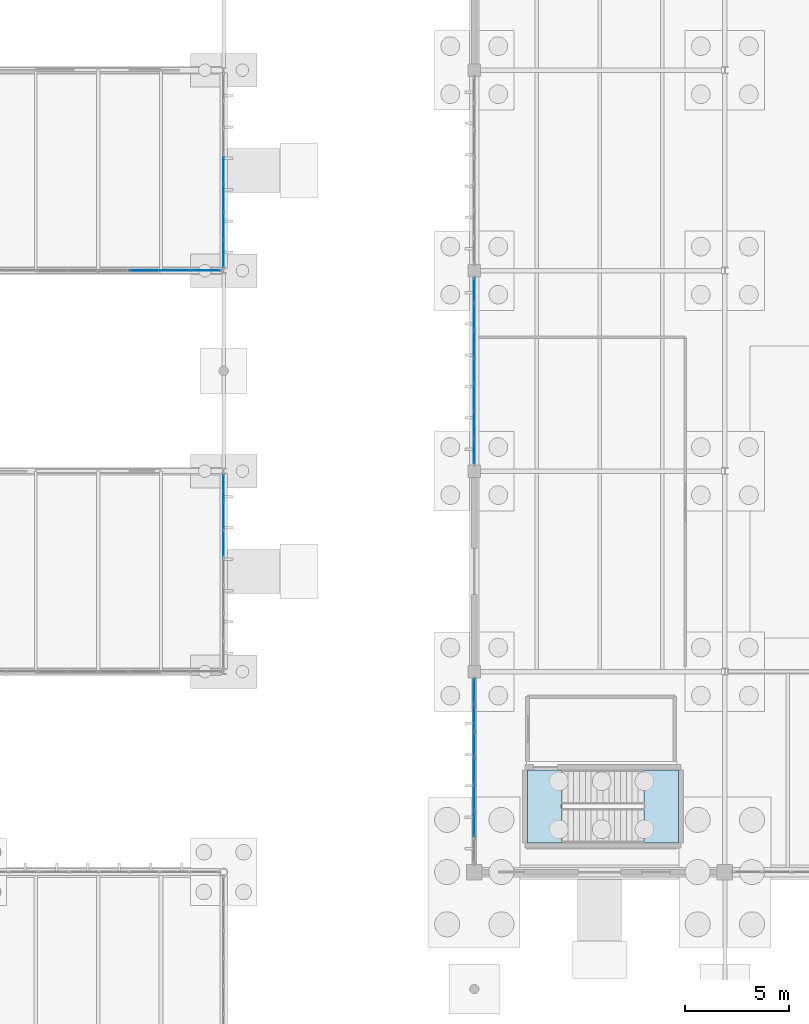
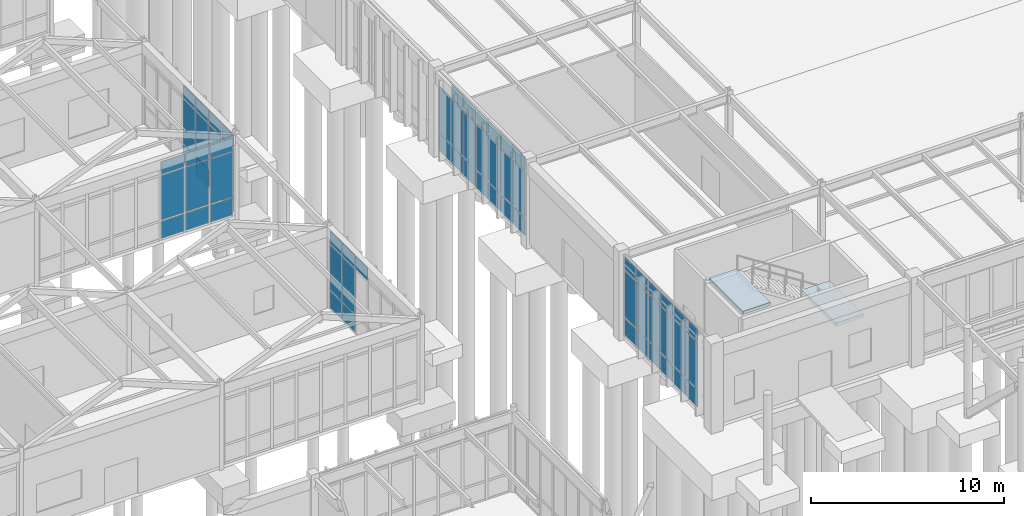
# One storey, part 132 of 188: 66 plates, 2 slabs, 6 elements without a shape of their own.
"""IFC4 building model written with IfcOpenShell, lengths in metres."""

from ifc_helpers import new_model, si_unit, direction, frame, origin, origin_2d, place, context, subcontext, project, spatial, polyline, rectangle, outline, extrude, material, layer, layer_set, type_object, element, aggregate, save


model = new_model("IFC4")

# Units and contexts
model_context = context("Model", 3, precision=1e-05, world=origin(), true_north=direction((0.0, 1.0)))
body_context = subcontext(model_context, "Body", "Model", "MODEL_VIEW")
ifc_project = project(units=[si_unit("LENGTHUNIT", "METRE"), si_unit("AREAUNIT", "SQUARE_METRE"), si_unit("VOLUMEUNIT", "CUBIC_METRE"), si_unit("PLANEANGLEUNIT", "RADIAN"), si_unit("MASSUNIT", "GRAM", prefix="KILO")], contexts=[model_context])

# Site, building, storey
site_placement = place(None, origin())
site = spatial("IfcSite", under=ifc_project, at=site_placement, CompositionType="ELEMENT")
building_placement = place(site_placement, origin())
building = spatial("IfcBuilding", under=site, at=building_placement, Name="Pandanus Reach Market Hall", CompositionType="ELEMENT")
storey_placement = place(building_placement, origin())
storey = spatial("IfcBuildingStorey", under=building, at=storey_placement, Name="L00", CompositionType="ELEMENT", Elevation=0.0)

# Curtain wall, plates
ifc_material_1 = material(Name="Bronze anodised aluminium and low-E glass", Category="aluminium")
ifc_layer_1 = layer(ifc_material_1, 0.159912109375, Name="CW-08")
ifc_layer_set_1 = layer_set([ifc_layer_1], Name="Bronze anodised aluminium and low-E glass")
curtain_wall_type_1 = type_object("IfcCurtainWallType", Name="CW-08", PredefinedType="NOTDEFINED", material=ifc_layer_set_1)
curtain_wall_1_placement = place(storey_placement, origin())
curtain_wall_1 = element("IfcCurtainWall", 1, at=curtain_wall_1_placement, inside=storey, type_object=curtain_wall_type_1, Name="Glazed curtain wall CW-08 CW-0040", PredefinedType="NOTDEFINED")
ifc_material_2 = material(Name="Solar-control double glazing", Category="glass")
ifc_layer_2 = layer(ifc_material_2, 0.028076171875, Name="CW-P1")
ifc_layer_set_2 = layer_set([ifc_layer_2], Name="Solar-control double glazing")
plate_type_1 = type_object("IfcPlateType", Name="CW-P1", PredefinedType="CURTAIN_PANEL", material=ifc_layer_set_2)
plate_1_placement = place(storey_placement, frame((36.0, 44.53515625, 4.13232421875), z_axis=(0.0, 0.0, 1.0), x_axis=(0.0, 1.0, 0.0)))
plate_1 = element("IfcPlate", 2, at=plate_1_placement, type_object=plate_type_1, Name="CW-08 panel 5.3", PredefinedType="CURTAIN_PANEL", context=body_context, shape_type="SweptSolid", body=[
    extrude(rectangle(XDim=1.270263671875, YDim=0.028076171875, at=origin_2d()), origin(), (0.0, 0.0, 1.0), 0.802490234375),
])
plate_2_placement = place(storey_placement, frame((36.0, 45.870361328125, 0.06494140625), z_axis=(0.0, 0.0, 1.0), x_axis=(0.0, 1.0, 0.0)))
plate_2 = element("IfcPlate", 3, at=plate_2_placement, type_object=plate_type_1, Name="CW-08 panel 6.1", PredefinedType="CURTAIN_PANEL", context=body_context, shape_type="SweptSolid", body=[
    extrude(rectangle(XDim=1.270263671875, YDim=0.028076171875, at=origin_2d()), origin(), (0.0, 0.0, 1.0), 1.1025390625),
])
plate_3_placement = place(storey_placement, frame((36.0, 45.870361328125, 1.232421875), z_axis=(0.0, 0.0, 1.0), x_axis=(0.0, 1.0, 0.0)))
plate_3 = element("IfcPlate", 4, at=plate_3_placement, type_object=plate_type_1, Name="CW-08 panel 6.2", PredefinedType="CURTAIN_PANEL", context=body_context, shape_type="SweptSolid", body=[
    extrude(rectangle(XDim=1.270263671875, YDim=0.028076171875, at=origin_2d()), origin(), (0.0, 0.0, 1.0), 2.8349609375),
])
plate_4_placement = place(storey_placement, frame((36.0, 45.870361328125, 4.13232421875), z_axis=(0.0, 0.0, 1.0), x_axis=(0.0, 1.0, 0.0)))
plate_4 = element("IfcPlate", 5, at=plate_4_placement, type_object=plate_type_1, Name="CW-08 panel 6.3", PredefinedType="CURTAIN_PANEL", context=body_context, shape_type="SweptSolid", body=[
    extrude(rectangle(XDim=1.270263671875, YDim=0.028076171875, at=origin_2d()), origin(), (0.0, 0.0, 1.0), 0.802490234375),
])
plate_5_placement = place(storey_placement, frame((36.0, 47.189208984375, 0.06494140625), z_axis=(0.0, 0.0, 1.0), x_axis=(0.0, 1.0, 0.0)))
plate_5 = element("IfcPlate", 6, at=plate_5_placement, type_object=plate_type_1, Name="CW-08 panel 7.1", PredefinedType="CURTAIN_PANEL", context=body_context, shape_type="SweptSolid", body=[
    extrude(rectangle(XDim=1.237548828125, YDim=0.028076171875, at=origin_2d()), origin(), (0.0, 0.0, 1.0), 1.1025390625),
])
plate_6_placement = place(storey_placement, frame((36.0, 47.189208984375, 1.232421875), z_axis=(0.0, 0.0, 1.0), x_axis=(0.0, 1.0, 0.0)))
plate_6 = element("IfcPlate", 7, at=plate_6_placement, type_object=plate_type_1, Name="CW-08 panel 7.2", PredefinedType="CURTAIN_PANEL", context=body_context, shape_type="SweptSolid", body=[
    extrude(rectangle(XDim=1.237548828125, YDim=0.028076171875, at=origin_2d()), origin(), (0.0, 0.0, 1.0), 2.8349609375),
])
plate_7_placement = place(storey_placement, frame((36.0, 47.189208984375, 4.13232421875), z_axis=(0.0, 0.0, 1.0), x_axis=(0.0, 1.0, 0.0)))
plate_7 = element("IfcPlate", 8, at=plate_7_placement, type_object=plate_type_1, Name="CW-08 panel 7.3", PredefinedType="CURTAIN_PANEL", context=body_context, shape_type="SweptSolid", body=[
    extrude(rectangle(XDim=1.237548828125, YDim=0.028076171875, at=origin_2d()), origin(), (0.0, 0.0, 1.0), 0.802490234375),
])
aggregate(curtain_wall_1, [plate_1, plate_2, plate_3, plate_4, plate_5, plate_6, plate_7])

ifc_layer_3 = layer(ifc_material_1, 0.159912109375, Name="CW-07")
ifc_layer_set_3 = layer_set([ifc_layer_3], Name="Bronze anodised aluminium and low-E glass")
curtain_wall_type_2 = type_object("IfcCurtainWallType", Name="CW-07", PredefinedType="NOTDEFINED", material=ifc_layer_set_3)
curtain_wall_2_placement = place(storey_placement, origin())
curtain_wall_2 = element("IfcCurtainWall", 9, at=curtain_wall_2_placement, inside=storey, type_object=curtain_wall_type_2, Name="Glazed curtain wall CW-07 CW-0042", PredefinedType="NOTDEFINED")
plate_8_placement = place(storey_placement, frame((32.202392578125, 57.60009765625, 0.06494140625), z_axis=(0.0, 0.0, 1.0), x_axis=(1.0, 0.0, 0.0)))
plate_8 = element("IfcPlate", 10, at=plate_8_placement, type_object=plate_type_1, Name="CW-07 panel 6.1", PredefinedType="CURTAIN_PANEL", context=body_context, shape_type="SweptSolid", body=[
    extrude(rectangle(XDim=1.4033203125, YDim=0.028076171875, at=origin_2d()), origin(), (0.0, 0.0, 1.0), 1.1025390625),
])
plate_9_placement = place(storey_placement, frame((32.202392578125, 57.60009765625, 1.232421875), z_axis=(0.0, 0.0, 1.0), x_axis=(1.0, 0.0, 0.0)))
plate_9 = element("IfcPlate", 11, at=plate_9_placement, type_object=plate_type_1, Name="CW-07 panel 6.2", PredefinedType="CURTAIN_PANEL", context=body_context, shape_type="SweptSolid", body=[
    extrude(rectangle(XDim=1.4033203125, YDim=0.028076171875, at=origin_2d()), origin(), (0.0, 0.0, 1.0), 2.8349609375),
])
plate_10_placement = place(storey_placement, frame((32.202392578125, 57.60009765625, 4.13232421875), z_axis=(0.0, 0.0, 1.0), x_axis=(1.0, 0.0, 0.0)))
plate_10 = element("IfcPlate", 12, at=plate_10_placement, type_object=plate_type_1, Name="CW-07 panel 6.3", PredefinedType="CURTAIN_PANEL", context=body_context, shape_type="SweptSolid", body=[
    extrude(rectangle(XDim=1.4033203125, YDim=0.028076171875, at=origin_2d()), origin(), (0.0, 0.0, 1.0), 0.802490234375),
])
plate_11_placement = place(storey_placement, frame((33.670654296875, 57.60009765625, 0.06494140625), z_axis=(0.0, 0.0, 1.0), x_axis=(1.0, 0.0, 0.0)))
plate_11 = element("IfcPlate", 13, at=plate_11_placement, type_object=plate_type_1, Name="CW-07 panel 7.1", PredefinedType="CURTAIN_PANEL", context=body_context, shape_type="SweptSolid", body=[
    extrude(rectangle(XDim=1.4033203125, YDim=0.028076171875, at=origin_2d()), origin(), (0.0, 0.0, 1.0), 1.1025390625),
])
plate_12_placement = place(storey_placement, frame((33.670654296875, 57.60009765625, 1.232421875), z_axis=(0.0, 0.0, 1.0), x_axis=(1.0, 0.0, 0.0)))
plate_12 = element("IfcPlate", 14, at=plate_12_placement, type_object=plate_type_1, Name="CW-07 panel 7.2", PredefinedType="CURTAIN_PANEL", context=body_context, shape_type="SweptSolid", body=[
    extrude(rectangle(XDim=1.4033203125, YDim=0.028076171875, at=origin_2d()), origin(), (0.0, 0.0, 1.0), 2.8349609375),
])
plate_13_placement = place(storey_placement, frame((33.670654296875, 57.60009765625, 4.13232421875), z_axis=(0.0, 0.0, 1.0), x_axis=(1.0, 0.0, 0.0)))
plate_13 = element("IfcPlate", 15, at=plate_13_placement, type_object=plate_type_1, Name="CW-07 panel 7.3", PredefinedType="CURTAIN_PANEL", context=body_context, shape_type="SweptSolid", body=[
    extrude(rectangle(XDim=1.4033203125, YDim=0.028076171875, at=origin_2d()), origin(), (0.0, 0.0, 1.0), 0.802490234375),
])
plate_14_placement = place(storey_placement, frame((35.12255859375, 57.60009765625, 0.06494140625), z_axis=(0.0, 0.0, 1.0), x_axis=(1.0, 0.0, 0.0)))
plate_14 = element("IfcPlate", 16, at=plate_14_placement, type_object=plate_type_1, Name="CW-07 panel 8.1", PredefinedType="CURTAIN_PANEL", context=body_context, shape_type="SweptSolid", body=[
    extrude(rectangle(XDim=1.370849609375, YDim=0.028076171875, at=origin_2d()), origin(), (0.0, 0.0, 1.0), 1.1025390625),
])
plate_15_placement = place(storey_placement, frame((35.12255859375, 57.60009765625, 1.232421875), z_axis=(0.0, 0.0, 1.0), x_axis=(1.0, 0.0, 0.0)))
plate_15 = element("IfcPlate", 17, at=plate_15_placement, type_object=plate_type_1, Name="CW-07 panel 8.2", PredefinedType="CURTAIN_PANEL", context=body_context, shape_type="SweptSolid", body=[
    extrude(rectangle(XDim=1.370849609375, YDim=0.028076171875, at=origin_2d()), origin(), (0.0, 0.0, 1.0), 2.8349609375),
])
plate_16_placement = place(storey_placement, frame((35.12255859375, 57.60009765625, 4.13232421875), z_axis=(0.0, 0.0, 1.0), x_axis=(1.0, 0.0, 0.0)))
plate_16 = element("IfcPlate", 18, at=plate_16_placement, type_object=plate_type_1, Name="CW-07 panel 8.3", PredefinedType="CURTAIN_PANEL", context=body_context, shape_type="SweptSolid", body=[
    extrude(rectangle(XDim=1.370849609375, YDim=0.028076171875, at=origin_2d()), origin(), (0.0, 0.0, 1.0), 0.802490234375),
])
aggregate(curtain_wall_2, [plate_8, plate_9, plate_10, plate_11, plate_12, plate_13, plate_14, plate_15, plate_16])

curtain_wall_3_placement = place(storey_placement, origin())
curtain_wall_3 = element("IfcCurtainWall", 19, at=curtain_wall_3_placement, inside=storey, type_object=curtain_wall_type_1, Name="Glazed curtain wall CW-08 CW-0043", PredefinedType="NOTDEFINED")
plate_17_placement = place(storey_placement, frame((36.0, 58.410888671875, 0.06494140625), z_axis=(0.0, 0.0, 1.0), x_axis=(0.0, 1.0, 0.0)))
plate_17 = element("IfcPlate", 20, at=plate_17_placement, type_object=plate_type_1, Name="CW-08 panel 1.1", PredefinedType="CURTAIN_PANEL", context=body_context, shape_type="SweptSolid", body=[
    extrude(rectangle(XDim=1.237548828125, YDim=0.028076171875, at=origin_2d()), origin(), (0.0, 0.0, 1.0), 1.1025390625),
])
plate_18_placement = place(storey_placement, frame((36.0, 58.410888671875, 1.232421875), z_axis=(0.0, 0.0, 1.0), x_axis=(0.0, 1.0, 0.0)))
plate_18 = element("IfcPlate", 21, at=plate_18_placement, type_object=plate_type_1, Name="CW-08 panel 1.2", PredefinedType="CURTAIN_PANEL", context=body_context, shape_type="SweptSolid", body=[
    extrude(rectangle(XDim=1.237548828125, YDim=0.028076171875, at=origin_2d()), origin(), (0.0, 0.0, 1.0), 2.8349609375),
])
plate_19_placement = place(storey_placement, frame((36.0, 58.410888671875, 4.13232421875), z_axis=(0.0, 0.0, 1.0), x_axis=(0.0, 1.0, 0.0)))
plate_19 = element("IfcPlate", 22, at=plate_19_placement, type_object=plate_type_1, Name="CW-08 panel 1.3", PredefinedType="CURTAIN_PANEL", context=body_context, shape_type="SweptSolid", body=[
    extrude(rectangle(XDim=1.237548828125, YDim=0.028076171875, at=origin_2d()), origin(), (0.0, 0.0, 1.0), 0.802490234375),
])
plate_20_placement = place(storey_placement, frame((36.0, 59.729736328125, 0.06494140625), z_axis=(0.0, 0.0, 1.0), x_axis=(0.0, 1.0, 0.0)))
plate_20 = element("IfcPlate", 23, at=plate_20_placement, type_object=plate_type_1, Name="CW-08 panel 2.1", PredefinedType="CURTAIN_PANEL", context=body_context, shape_type="SweptSolid", body=[
    extrude(rectangle(XDim=1.270263671875, YDim=0.028076171875, at=origin_2d()), origin(), (0.0, 0.0, 1.0), 1.1025390625),
])
plate_21_placement = place(storey_placement, frame((36.0, 59.729736328125, 1.232421875), z_axis=(0.0, 0.0, 1.0), x_axis=(0.0, 1.0, 0.0)))
plate_21 = element("IfcPlate", 24, at=plate_21_placement, type_object=plate_type_1, Name="CW-08 panel 2.2", PredefinedType="CURTAIN_PANEL", context=body_context, shape_type="SweptSolid", body=[
    extrude(rectangle(XDim=1.270263671875, YDim=0.028076171875, at=origin_2d()), origin(), (0.0, 0.0, 1.0), 2.8349609375),
])
plate_22_placement = place(storey_placement, frame((36.0, 59.729736328125, 4.13232421875), z_axis=(0.0, 0.0, 1.0), x_axis=(0.0, 1.0, 0.0)))
plate_22 = element("IfcPlate", 25, at=plate_22_placement, type_object=plate_type_1, Name="CW-08 panel 2.3", PredefinedType="CURTAIN_PANEL", context=body_context, shape_type="SweptSolid", body=[
    extrude(rectangle(XDim=1.270263671875, YDim=0.028076171875, at=origin_2d()), origin(), (0.0, 0.0, 1.0), 0.802490234375),
])
plate_23_placement = place(storey_placement, frame((36.0, 61.06494140625, 0.06494140625), z_axis=(0.0, 0.0, 1.0), x_axis=(0.0, 1.0, 0.0)))
plate_23 = element("IfcPlate", 26, at=plate_23_placement, type_object=plate_type_1, Name="CW-08 panel 3.1", PredefinedType="CURTAIN_PANEL", context=body_context, shape_type="SweptSolid", body=[
    extrude(rectangle(XDim=1.270263671875, YDim=0.028076171875, at=origin_2d()), origin(), (0.0, 0.0, 1.0), 1.1025390625),
])
plate_24_placement = place(storey_placement, frame((36.0, 61.06494140625, 1.232421875), z_axis=(0.0, 0.0, 1.0), x_axis=(0.0, 1.0, 0.0)))
plate_24 = element("IfcPlate", 27, at=plate_24_placement, type_object=plate_type_1, Name="CW-08 panel 3.2", PredefinedType="CURTAIN_PANEL", context=body_context, shape_type="SweptSolid", body=[
    extrude(rectangle(XDim=1.270263671875, YDim=0.028076171875, at=origin_2d()), origin(), (0.0, 0.0, 1.0), 2.8349609375),
])
plate_25_placement = place(storey_placement, frame((36.0, 61.06494140625, 4.13232421875), z_axis=(0.0, 0.0, 1.0), x_axis=(0.0, 1.0, 0.0)))
plate_25 = element("IfcPlate", 28, at=plate_25_placement, type_object=plate_type_1, Name="CW-08 panel 3.3", PredefinedType="CURTAIN_PANEL", context=body_context, shape_type="SweptSolid", body=[
    extrude(rectangle(XDim=1.270263671875, YDim=0.028076171875, at=origin_2d()), origin(), (0.0, 0.0, 1.0), 0.802490234375),
])
plate_26_placement = place(storey_placement, frame((36.0, 62.39990234375, 0.06494140625), z_axis=(0.0, 0.0, 1.0), x_axis=(0.0, 1.0, 0.0)))
plate_26 = element("IfcPlate", 29, at=plate_26_placement, type_object=plate_type_1, Name="CW-08 panel 4.1", PredefinedType="CURTAIN_PANEL", context=body_context, shape_type="SweptSolid", body=[
    extrude(rectangle(XDim=1.270263671875, YDim=0.028076171875, at=origin_2d()), origin(), (0.0, 0.0, 1.0), 1.1025390625),
])
plate_27_placement = place(storey_placement, frame((36.0, 62.39990234375, 1.232421875), z_axis=(0.0, 0.0, 1.0), x_axis=(0.0, 1.0, 0.0)))
plate_27 = element("IfcPlate", 30, at=plate_27_placement, type_object=plate_type_1, Name="CW-08 panel 4.2", PredefinedType="CURTAIN_PANEL", context=body_context, shape_type="SweptSolid", body=[
    extrude(rectangle(XDim=1.270263671875, YDim=0.028076171875, at=origin_2d()), origin(), (0.0, 0.0, 1.0), 2.8349609375),
])
plate_28_placement = place(storey_placement, frame((36.0, 62.39990234375, 4.13232421875), z_axis=(0.0, 0.0, 1.0), x_axis=(0.0, 1.0, 0.0)))
plate_28 = element("IfcPlate", 31, at=plate_28_placement, type_object=plate_type_1, Name="CW-08 panel 4.3", PredefinedType="CURTAIN_PANEL", context=body_context, shape_type="SweptSolid", body=[
    extrude(rectangle(XDim=1.270263671875, YDim=0.028076171875, at=origin_2d()), origin(), (0.0, 0.0, 1.0), 0.802490234375),
])
aggregate(curtain_wall_3, [plate_17, plate_18, plate_19, plate_20, plate_21, plate_22, plate_23, plate_24, plate_25, plate_26, plate_27, plate_28])

ifc_layer_4 = layer(ifc_material_1, 0.199951171875, Name="CW-03")
ifc_layer_set_4 = layer_set([ifc_layer_4], Name="Bronze anodised aluminium and low-E glass")
curtain_wall_type_3 = type_object("IfcCurtainWallType", Name="CW-03", PredefinedType="NOTDEFINED", material=ifc_layer_set_4)
curtain_wall_4_placement = place(storey_placement, origin())
curtain_wall_4 = element("IfcCurtainWall", 32, at=curtain_wall_4_placement, inside=storey, type_object=curtain_wall_type_3, Name="Glazed curtain wall CW-03 CW-0018", PredefinedType="NOTDEFINED")
ifc_material_3 = material(Name="Acoustic laminated solar double glazing", Category="glass")
ifc_layer_5 = layer(ifc_material_3, 0.031982421875, Name="CW-P2")
ifc_layer_set_5 = layer_set([ifc_layer_5], Name="Acoustic laminated solar double glazing")
plate_type_2 = type_object("IfcPlateType", Name="CW-P2", PredefinedType="CURTAIN_PANEL", material=ifc_layer_set_5)
plate_29_placement = place(storey_placement, frame((48.0, 31.08740234375, 0.074951171875), z_axis=(0.0, 0.0, 1.0), x_axis=(0.0, 1.0, 0.0)))
plate_29 = element("IfcPlate", 33, at=plate_29_placement, type_object=plate_type_2, Name="CW-03 panel 2.1", PredefinedType="CURTAIN_PANEL", context=body_context, shape_type="SweptSolid", body=[
    extrude(rectangle(XDim=1.199951171875, YDim=0.031982421875, at=origin_2d()), origin(), (0.0, 0.0, 1.0), 1.08740234375),
])
plate_30_placement = place(storey_placement, frame((48.0, 31.08740234375, 1.2373046875), z_axis=(0.0, 0.0, 1.0), x_axis=(0.0, 1.0, 0.0)))
plate_30 = element("IfcPlate", 34, at=plate_30_placement, type_object=plate_type_2, Name="CW-03 panel 2.2", PredefinedType="CURTAIN_PANEL", context=body_context, shape_type="SweptSolid", body=[
    extrude(rectangle(XDim=1.199951171875, YDim=0.031982421875, at=origin_2d()), origin(), (0.0, 0.0, 1.0), 2.925048828125),
])
plate_31_placement = place(storey_placement, frame((48.0, 31.08740234375, 4.237548828125), z_axis=(0.0, 0.0, 1.0), x_axis=(0.0, 1.0, 0.0)))
plate_31 = element("IfcPlate", 35, at=plate_31_placement, type_object=plate_type_2, Name="CW-03 panel 2.3", PredefinedType="CURTAIN_PANEL", context=body_context, shape_type="SweptSolid", body=[
    extrude(rectangle(XDim=1.199951171875, YDim=0.031982421875, at=origin_2d()), origin(), (0.0, 0.0, 1.0), 0.78759765625),
])
plate_32_placement = place(storey_placement, frame((48.0, 32.362548828125, 0.074951171875), z_axis=(0.0, 0.0, 1.0), x_axis=(0.0, 1.0, 0.0)))
plate_32 = element("IfcPlate", 36, at=plate_32_placement, type_object=plate_type_2, Name="CW-03 panel 3.1", PredefinedType="CURTAIN_PANEL", context=body_context, shape_type="SweptSolid", body=[
    extrude(rectangle(XDim=1.199951171875, YDim=0.031982421875, at=origin_2d()), origin(), (0.0, 0.0, 1.0), 1.08740234375),
])
plate_33_placement = place(storey_placement, frame((48.0, 32.362548828125, 1.2373046875), z_axis=(0.0, 0.0, 1.0), x_axis=(0.0, 1.0, 0.0)))
plate_33 = element("IfcPlate", 37, at=plate_33_placement, type_object=plate_type_2, Name="CW-03 panel 3.2", PredefinedType="CURTAIN_PANEL", context=body_context, shape_type="SweptSolid", body=[
    extrude(rectangle(XDim=1.199951171875, YDim=0.031982421875, at=origin_2d()), origin(), (0.0, 0.0, 1.0), 2.925048828125),
])
plate_34_placement = place(storey_placement, frame((48.0, 32.362548828125, 4.237548828125), z_axis=(0.0, 0.0, 1.0), x_axis=(0.0, 1.0, 0.0)))
plate_34 = element("IfcPlate", 38, at=plate_34_placement, type_object=plate_type_2, Name="CW-03 panel 3.3", PredefinedType="CURTAIN_PANEL", context=body_context, shape_type="SweptSolid", body=[
    extrude(rectangle(XDim=1.199951171875, YDim=0.031982421875, at=origin_2d()), origin(), (0.0, 0.0, 1.0), 0.78759765625),
])
plate_35_placement = place(storey_placement, frame((48.0, 33.637451171875, 0.074951171875), z_axis=(0.0, 0.0, 1.0), x_axis=(0.0, 1.0, 0.0)))
plate_35 = element("IfcPlate", 39, at=plate_35_placement, type_object=plate_type_2, Name="CW-03 panel 4.1", PredefinedType="CURTAIN_PANEL", context=body_context, shape_type="SweptSolid", body=[
    extrude(rectangle(XDim=1.199951171875, YDim=0.031982421875, at=origin_2d()), origin(), (0.0, 0.0, 1.0), 1.08740234375),
])
plate_36_placement = place(storey_placement, frame((48.0, 33.637451171875, 1.2373046875), z_axis=(0.0, 0.0, 1.0), x_axis=(0.0, 1.0, 0.0)))
plate_36 = element("IfcPlate", 40, at=plate_36_placement, type_object=plate_type_2, Name="CW-03 panel 4.2", PredefinedType="CURTAIN_PANEL", context=body_context, shape_type="SweptSolid", body=[
    extrude(rectangle(XDim=1.199951171875, YDim=0.031982421875, at=origin_2d()), origin(), (0.0, 0.0, 1.0), 2.925048828125),
])
plate_37_placement = place(storey_placement, frame((48.0, 33.637451171875, 4.237548828125), z_axis=(0.0, 0.0, 1.0), x_axis=(0.0, 1.0, 0.0)))
plate_37 = element("IfcPlate", 41, at=plate_37_placement, type_object=plate_type_2, Name="CW-03 panel 4.3", PredefinedType="CURTAIN_PANEL", context=body_context, shape_type="SweptSolid", body=[
    extrude(rectangle(XDim=1.199951171875, YDim=0.031982421875, at=origin_2d()), origin(), (0.0, 0.0, 1.0), 0.78759765625),
])
plate_38_placement = place(storey_placement, frame((48.0, 34.91259765625, 0.074951171875), z_axis=(0.0, 0.0, 1.0), x_axis=(0.0, 1.0, 0.0)))
plate_38 = element("IfcPlate", 42, at=plate_38_placement, type_object=plate_type_2, Name="CW-03 panel 5.1", PredefinedType="CURTAIN_PANEL", context=body_context, shape_type="SweptSolid", body=[
    extrude(rectangle(XDim=1.199951171875, YDim=0.031982421875, at=origin_2d()), origin(), (0.0, 0.0, 1.0), 1.08740234375),
])
plate_39_placement = place(storey_placement, frame((48.0, 34.91259765625, 1.2373046875), z_axis=(0.0, 0.0, 1.0), x_axis=(0.0, 1.0, 0.0)))
plate_39 = element("IfcPlate", 43, at=plate_39_placement, type_object=plate_type_2, Name="CW-03 panel 5.2", PredefinedType="CURTAIN_PANEL", context=body_context, shape_type="SweptSolid", body=[
    extrude(rectangle(XDim=1.199951171875, YDim=0.031982421875, at=origin_2d()), origin(), (0.0, 0.0, 1.0), 2.925048828125),
])
plate_40_placement = place(storey_placement, frame((48.0, 34.91259765625, 4.237548828125), z_axis=(0.0, 0.0, 1.0), x_axis=(0.0, 1.0, 0.0)))
plate_40 = element("IfcPlate", 44, at=plate_40_placement, type_object=plate_type_2, Name="CW-03 panel 5.3", PredefinedType="CURTAIN_PANEL", context=body_context, shape_type="SweptSolid", body=[
    extrude(rectangle(XDim=1.199951171875, YDim=0.031982421875, at=origin_2d()), origin(), (0.0, 0.0, 1.0), 0.78759765625),
])
plate_41_placement = place(storey_placement, frame((48.0, 36.1875, 0.074951171875), z_axis=(0.0, 0.0, 1.0), x_axis=(0.0, 1.0, 0.0)))
plate_41 = element("IfcPlate", 45, at=plate_41_placement, type_object=plate_type_2, Name="CW-03 panel 6.1", PredefinedType="CURTAIN_PANEL", context=body_context, shape_type="SweptSolid", body=[
    extrude(rectangle(XDim=1.199951171875, YDim=0.031982421875, at=origin_2d()), origin(), (0.0, 0.0, 1.0), 1.08740234375),
])
plate_42_placement = place(storey_placement, frame((48.0, 36.1875, 1.2373046875), z_axis=(0.0, 0.0, 1.0), x_axis=(0.0, 1.0, 0.0)))
plate_42 = element("IfcPlate", 46, at=plate_42_placement, type_object=plate_type_2, Name="CW-03 panel 6.2", PredefinedType="CURTAIN_PANEL", context=body_context, shape_type="SweptSolid", body=[
    extrude(rectangle(XDim=1.199951171875, YDim=0.031982421875, at=origin_2d()), origin(), (0.0, 0.0, 1.0), 2.925048828125),
])
plate_43_placement = place(storey_placement, frame((48.0, 36.1875, 4.237548828125), z_axis=(0.0, 0.0, 1.0), x_axis=(0.0, 1.0, 0.0)))
plate_43 = element("IfcPlate", 47, at=plate_43_placement, type_object=plate_type_2, Name="CW-03 panel 6.3", PredefinedType="CURTAIN_PANEL", context=body_context, shape_type="SweptSolid", body=[
    extrude(rectangle(XDim=1.199951171875, YDim=0.031982421875, at=origin_2d()), origin(), (0.0, 0.0, 1.0), 0.78759765625),
])
plate_44_placement = place(storey_placement, frame((48.0, 37.44384765625, 0.074951171875), z_axis=(0.0, 0.0, 1.0), x_axis=(0.0, 1.0, 0.0)))
plate_44 = element("IfcPlate", 48, at=plate_44_placement, type_object=plate_type_2, Name="CW-03 panel 7.1", PredefinedType="CURTAIN_PANEL", context=body_context, shape_type="SweptSolid", body=[
    extrude(rectangle(XDim=1.16259765625, YDim=0.031982421875, at=origin_2d()), origin(), (0.0, 0.0, 1.0), 1.08740234375),
])
plate_45_placement = place(storey_placement, frame((48.0, 37.44384765625, 1.2373046875), z_axis=(0.0, 0.0, 1.0), x_axis=(0.0, 1.0, 0.0)))
plate_45 = element("IfcPlate", 49, at=plate_45_placement, type_object=plate_type_2, Name="CW-03 panel 7.2", PredefinedType="CURTAIN_PANEL", context=body_context, shape_type="SweptSolid", body=[
    extrude(rectangle(XDim=1.16259765625, YDim=0.031982421875, at=origin_2d()), origin(), (0.0, 0.0, 1.0), 2.925048828125),
])
plate_46_placement = place(storey_placement, frame((48.0, 37.44384765625, 4.237548828125), z_axis=(0.0, 0.0, 1.0), x_axis=(0.0, 1.0, 0.0)))
plate_46 = element("IfcPlate", 50, at=plate_46_placement, type_object=plate_type_2, Name="CW-03 panel 7.3", PredefinedType="CURTAIN_PANEL", context=body_context, shape_type="SweptSolid", body=[
    extrude(rectangle(XDim=1.16259765625, YDim=0.031982421875, at=origin_2d()), origin(), (0.0, 0.0, 1.0), 0.78759765625),
])
aggregate(curtain_wall_4, [plate_29, plate_30, plate_31, plate_32, plate_33, plate_34, plate_35, plate_36, plate_37, plate_38, plate_39, plate_40, plate_41, plate_42, plate_43, plate_44, plate_45, plate_46])

ifc_layer_6 = layer(ifc_material_1, 0.199951171875, Name="CW-06")
ifc_layer_set_6 = layer_set([ifc_layer_6], Name="Bronze anodised aluminium and low-E glass")
curtain_wall_type_4 = type_object("IfcCurtainWallType", Name="CW-06", PredefinedType="NOTDEFINED", material=ifc_layer_set_6)
curtain_wall_5_placement = place(storey_placement, origin())
curtain_wall_5 = element("IfcCurtainWall", 51, at=curtain_wall_5_placement, inside=storey, type_object=curtain_wall_type_4, Name="Glazed curtain wall CW-06 CW-0024", PredefinedType="NOTDEFINED")
plate_47_placement = place(storey_placement, frame((48.0, 48.961669921875, 0.074951171875), z_axis=(0.0, 0.0, 1.0), x_axis=(0.0, 1.0, 0.0)))
plate_47 = element("IfcPlate", 52, at=plate_47_placement, type_object=plate_type_2, Name="CW-06 panel 1.1", PredefinedType="CURTAIN_PANEL", context=body_context, shape_type="SweptSolid", body=[
    extrude(rectangle(XDim=1.173095703125, YDim=0.031982421875, at=origin_2d()), origin(), (0.0, 0.0, 1.0), 1.08740234375),
])
plate_48_placement = place(storey_placement, frame((48.0, 48.961669921875, 1.2373046875), z_axis=(0.0, 0.0, 1.0), x_axis=(0.0, 1.0, 0.0)))
plate_48 = element("IfcPlate", 53, at=plate_48_placement, type_object=plate_type_2, Name="CW-06 panel 1.2", PredefinedType="CURTAIN_PANEL", context=body_context, shape_type="SweptSolid", body=[
    extrude(rectangle(XDim=1.173095703125, YDim=0.031982421875, at=origin_2d()), origin(), (0.0, 0.0, 1.0), 2.925048828125),
])
plate_49_placement = place(storey_placement, frame((48.0, 48.961669921875, 4.237548828125), z_axis=(0.0, 0.0, 1.0), x_axis=(0.0, 1.0, 0.0)))
plate_49 = element("IfcPlate", 54, at=plate_49_placement, type_object=plate_type_2, Name="CW-06 panel 1.3", PredefinedType="CURTAIN_PANEL", context=body_context, shape_type="SweptSolid", body=[
    extrude(rectangle(XDim=1.173095703125, YDim=0.031982421875, at=origin_2d()), origin(), (0.0, 0.0, 1.0), 0.78759765625),
])
plate_50_placement = place(storey_placement, frame((48.0, 50.228515625, 0.074951171875), z_axis=(0.0, 0.0, 1.0), x_axis=(0.0, 1.0, 0.0)))
plate_50 = element("IfcPlate", 55, at=plate_50_placement, type_object=plate_type_2, Name="CW-06 panel 2.1", PredefinedType="CURTAIN_PANEL", context=body_context, shape_type="SweptSolid", body=[
    extrude(rectangle(XDim=1.210693359375, YDim=0.031982421875, at=origin_2d()), origin(), (0.0, 0.0, 1.0), 1.08740234375),
])
plate_51_placement = place(storey_placement, frame((48.0, 50.228515625, 1.2373046875), z_axis=(0.0, 0.0, 1.0), x_axis=(0.0, 1.0, 0.0)))
plate_51 = element("IfcPlate", 56, at=plate_51_placement, type_object=plate_type_2, Name="CW-06 panel 2.2", PredefinedType="CURTAIN_PANEL", context=body_context, shape_type="SweptSolid", body=[
    extrude(rectangle(XDim=1.210693359375, YDim=0.031982421875, at=origin_2d()), origin(), (0.0, 0.0, 1.0), 2.925048828125),
])
plate_52_placement = place(storey_placement, frame((48.0, 50.228515625, 4.237548828125), z_axis=(0.0, 0.0, 1.0), x_axis=(0.0, 1.0, 0.0)))
plate_52 = element("IfcPlate", 57, at=plate_52_placement, type_object=plate_type_2, Name="CW-06 panel 2.3", PredefinedType="CURTAIN_PANEL", context=body_context, shape_type="SweptSolid", body=[
    extrude(rectangle(XDim=1.210693359375, YDim=0.031982421875, at=origin_2d()), origin(), (0.0, 0.0, 1.0), 0.78759765625),
])
plate_53_placement = place(storey_placement, frame((48.0, 51.514404296875, 0.074951171875), z_axis=(0.0, 0.0, 1.0), x_axis=(0.0, 1.0, 0.0)))
plate_53 = element("IfcPlate", 58, at=plate_53_placement, type_object=plate_type_2, Name="CW-06 panel 3.1", PredefinedType="CURTAIN_PANEL", context=body_context, shape_type="SweptSolid", body=[
    extrude(rectangle(XDim=1.210693359375, YDim=0.031982421875, at=origin_2d()), origin(), (0.0, 0.0, 1.0), 1.08740234375),
])
plate_54_placement = place(storey_placement, frame((48.0, 51.514404296875, 1.2373046875), z_axis=(0.0, 0.0, 1.0), x_axis=(0.0, 1.0, 0.0)))
plate_54 = element("IfcPlate", 59, at=plate_54_placement, type_object=plate_type_2, Name="CW-06 panel 3.2", PredefinedType="CURTAIN_PANEL", context=body_context, shape_type="SweptSolid", body=[
    extrude(rectangle(XDim=1.210693359375, YDim=0.031982421875, at=origin_2d()), origin(), (0.0, 0.0, 1.0), 2.925048828125),
])
plate_55_placement = place(storey_placement, frame((48.0, 51.514404296875, 4.237548828125), z_axis=(0.0, 0.0, 1.0), x_axis=(0.0, 1.0, 0.0)))
plate_55 = element("IfcPlate", 60, at=plate_55_placement, type_object=plate_type_2, Name="CW-06 panel 3.3", PredefinedType="CURTAIN_PANEL", context=body_context, shape_type="SweptSolid", body=[
    extrude(rectangle(XDim=1.210693359375, YDim=0.031982421875, at=origin_2d()), origin(), (0.0, 0.0, 1.0), 0.78759765625),
])
plate_56_placement = place(storey_placement, frame((48.0, 52.800048828125, 0.074951171875), z_axis=(0.0, 0.0, 1.0), x_axis=(0.0, 1.0, 0.0)))
plate_56 = element("IfcPlate", 61, at=plate_56_placement, type_object=plate_type_2, Name="CW-06 panel 4.1", PredefinedType="CURTAIN_PANEL", context=body_context, shape_type="SweptSolid", body=[
    extrude(rectangle(XDim=1.210693359375, YDim=0.031982421875, at=origin_2d()), origin(), (0.0, 0.0, 1.0), 1.08740234375),
])
plate_57_placement = place(storey_placement, frame((48.0, 52.800048828125, 1.2373046875), z_axis=(0.0, 0.0, 1.0), x_axis=(0.0, 1.0, 0.0)))
plate_57 = element("IfcPlate", 62, at=plate_57_placement, type_object=plate_type_2, Name="CW-06 panel 4.2", PredefinedType="CURTAIN_PANEL", context=body_context, shape_type="SweptSolid", body=[
    extrude(rectangle(XDim=1.210693359375, YDim=0.031982421875, at=origin_2d()), origin(), (0.0, 0.0, 1.0), 2.925048828125),
])
plate_58_placement = place(storey_placement, frame((48.0, 52.800048828125, 4.237548828125), z_axis=(0.0, 0.0, 1.0), x_axis=(0.0, 1.0, 0.0)))
plate_58 = element("IfcPlate", 63, at=plate_58_placement, type_object=plate_type_2, Name="CW-06 panel 4.3", PredefinedType="CURTAIN_PANEL", context=body_context, shape_type="SweptSolid", body=[
    extrude(rectangle(XDim=1.210693359375, YDim=0.031982421875, at=origin_2d()), origin(), (0.0, 0.0, 1.0), 0.78759765625),
])
plate_59_placement = place(storey_placement, frame((48.0, 54.085693359375, 0.074951171875), z_axis=(0.0, 0.0, 1.0), x_axis=(0.0, 1.0, 0.0)))
plate_59 = element("IfcPlate", 64, at=plate_59_placement, type_object=plate_type_2, Name="CW-06 panel 5.1", PredefinedType="CURTAIN_PANEL", context=body_context, shape_type="SweptSolid", body=[
    extrude(rectangle(XDim=1.210693359375, YDim=0.031982421875, at=origin_2d()), origin(), (0.0, 0.0, 1.0), 1.08740234375),
])
plate_60_placement = place(storey_placement, frame((48.0, 54.085693359375, 1.2373046875), z_axis=(0.0, 0.0, 1.0), x_axis=(0.0, 1.0, 0.0)))
plate_60 = element("IfcPlate", 65, at=plate_60_placement, type_object=plate_type_2, Name="CW-06 panel 5.2", PredefinedType="CURTAIN_PANEL", context=body_context, shape_type="SweptSolid", body=[
    extrude(rectangle(XDim=1.210693359375, YDim=0.031982421875, at=origin_2d()), origin(), (0.0, 0.0, 1.0), 2.925048828125),
])
plate_61_placement = place(storey_placement, frame((48.0, 54.085693359375, 4.237548828125), z_axis=(0.0, 0.0, 1.0), x_axis=(0.0, 1.0, 0.0)))
plate_61 = element("IfcPlate", 66, at=plate_61_placement, type_object=plate_type_2, Name="CW-06 panel 5.3", PredefinedType="CURTAIN_PANEL", context=body_context, shape_type="SweptSolid", body=[
    extrude(rectangle(XDim=1.210693359375, YDim=0.031982421875, at=origin_2d()), origin(), (0.0, 0.0, 1.0), 0.78759765625),
])
plate_62_placement = place(storey_placement, frame((48.0, 55.371337890625, 0.074951171875), z_axis=(0.0, 0.0, 1.0), x_axis=(0.0, 1.0, 0.0)))
plate_62 = element("IfcPlate", 67, at=plate_62_placement, type_object=plate_type_2, Name="CW-06 panel 6.1", PredefinedType="CURTAIN_PANEL", context=body_context, shape_type="SweptSolid", body=[
    extrude(rectangle(XDim=1.210693359375, YDim=0.031982421875, at=origin_2d()), origin(), (0.0, 0.0, 1.0), 1.08740234375),
])
plate_63_placement = place(storey_placement, frame((48.0, 55.371337890625, 1.2373046875), z_axis=(0.0, 0.0, 1.0), x_axis=(0.0, 1.0, 0.0)))
plate_63 = element("IfcPlate", 68, at=plate_63_placement, type_object=plate_type_2, Name="CW-06 panel 6.2", PredefinedType="CURTAIN_PANEL", context=body_context, shape_type="SweptSolid", body=[
    extrude(rectangle(XDim=1.210693359375, YDim=0.031982421875, at=origin_2d()), origin(), (0.0, 0.0, 1.0), 2.925048828125),
])
plate_64_placement = place(storey_placement, frame((48.0, 55.371337890625, 4.237548828125), z_axis=(0.0, 0.0, 1.0), x_axis=(0.0, 1.0, 0.0)))
plate_64 = element("IfcPlate", 69, at=plate_64_placement, type_object=plate_type_2, Name="CW-06 panel 6.3", PredefinedType="CURTAIN_PANEL", context=body_context, shape_type="SweptSolid", body=[
    extrude(rectangle(XDim=1.210693359375, YDim=0.031982421875, at=origin_2d()), origin(), (0.0, 0.0, 1.0), 0.78759765625),
])
plate_65_placement = place(storey_placement, frame((48.0, 56.638427734375, 0.074951171875), z_axis=(0.0, 0.0, 1.0), x_axis=(0.0, 1.0, 0.0)))
plate_65 = element("IfcPlate", 70, at=plate_65_placement, type_object=plate_type_2, Name="CW-06 panel 7.1", PredefinedType="CURTAIN_PANEL", context=body_context, shape_type="SweptSolid", body=[
    extrude(rectangle(XDim=1.173095703125, YDim=0.031982421875, at=origin_2d()), origin(), (0.0, 0.0, 1.0), 1.08740234375),
])
plate_66_placement = place(storey_placement, frame((48.0, 56.638427734375, 1.2373046875), z_axis=(0.0, 0.0, 1.0), x_axis=(0.0, 1.0, 0.0)))
plate_66 = element("IfcPlate", 71, at=plate_66_placement, type_object=plate_type_2, Name="CW-06 panel 7.2", PredefinedType="CURTAIN_PANEL", context=body_context, shape_type="SweptSolid", body=[
    extrude(rectangle(XDim=1.173095703125, YDim=0.031982421875, at=origin_2d()), origin(), (0.0, 0.0, 1.0), 2.925048828125),
])
aggregate(curtain_wall_5, [plate_47, plate_48, plate_49, plate_50, plate_51, plate_52, plate_53, plate_54, plate_55, plate_56, plate_57, plate_58, plate_59, plate_60, plate_61, plate_62, plate_63, plate_64, plate_65, plate_66])

# Stair, slabs
ifc_material_4 = material(Name="Concrete N40 (40 MPa)", Category="concrete")
stair_type = type_object("IfcStairType", Name="STR-08", PredefinedType="HALF_TURN_STAIR", material=ifc_material_4)
stair_placement = place(storey_placement, origin())
stair = element("IfcStair", 72, at=stair_placement, inside=storey, type_object=stair_type, Name="Stair ST-07 L00", PredefinedType="HALF_TURN_STAIR")
ifc_layer_7 = layer(ifc_material_4, 0.199951171875, Name="SL-LND-200")
ifc_layer_set_7 = layer_set([ifc_layer_7], Name="Concrete N40 (40 MPa)")
slab_type = type_object("IfcSlabType", Name="SL-LND-200", PredefinedType="LANDING", material=ifc_layer_set_7)
slab_1_placement = place(storey_placement, frame((0.0, 0.0, 2.5)))
slab_1 = element("IfcSlab", 73, at=slab_1_placement, type_object=slab_type, Name="STR-08 landing 1", PredefinedType="LANDING", context=body_context, shape_type="SweptSolid", body=[
    extrude(outline(polyline([(56.1201171875, 30.199951171875), (57.77001953125, 30.199951171875), (57.77001953125, 33.699951171875), (56.1201171875, 33.699951171875), (56.1201171875, 30.199951171875)])), origin(), (0.0, 0.0, 1.0), 0.199951171875),
])
slab_2_placement = place(storey_placement, frame((0.0, 0.0, 5.199951171875)))
slab_2 = element("IfcSlab", 74, at=slab_2_placement, type_object=slab_type, Name="STR-08 landing 2", PredefinedType="LANDING", context=body_context, shape_type="SweptSolid", body=[
    extrude(outline(polyline([(50.550048828125, 30.199951171875), (52.199951171875, 30.199951171875), (52.199951171875, 33.699951171875), (50.550048828125, 33.699951171875), (50.550048828125, 30.199951171875)])), origin(), (0.0, 0.0, 1.0), 0.199951171875),
])
aggregate(stair, [slab_1, slab_2])

save(model, "model.ifc")
